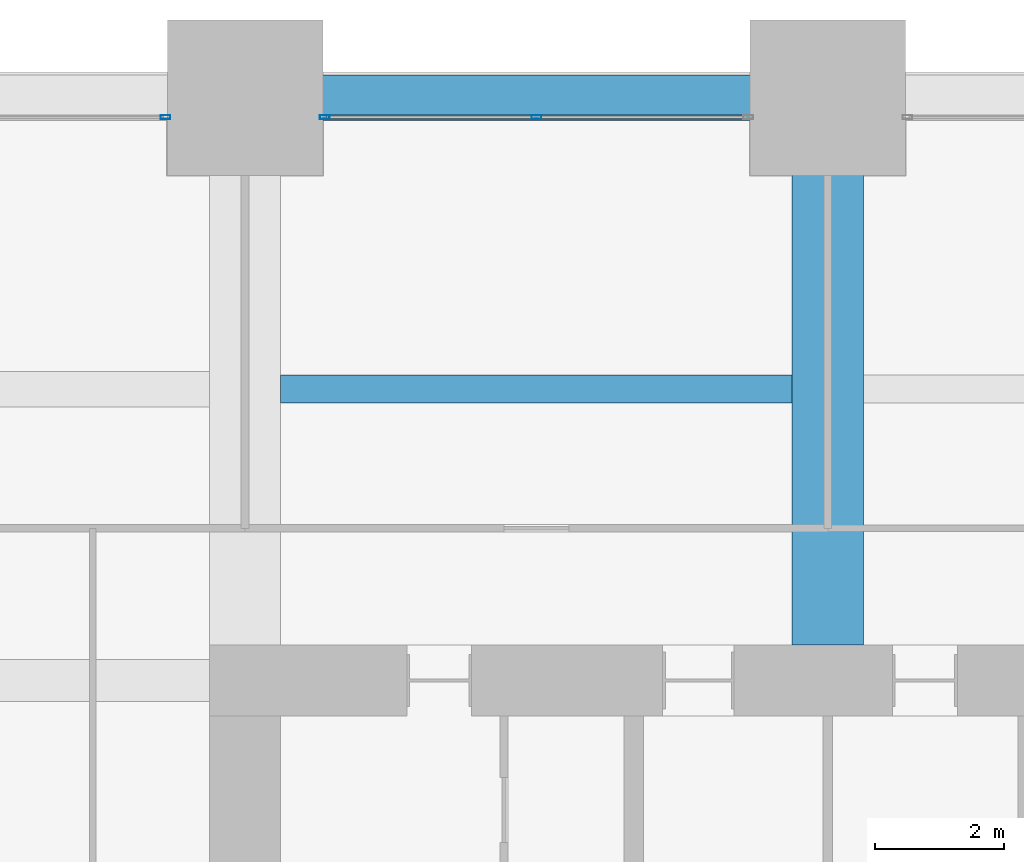
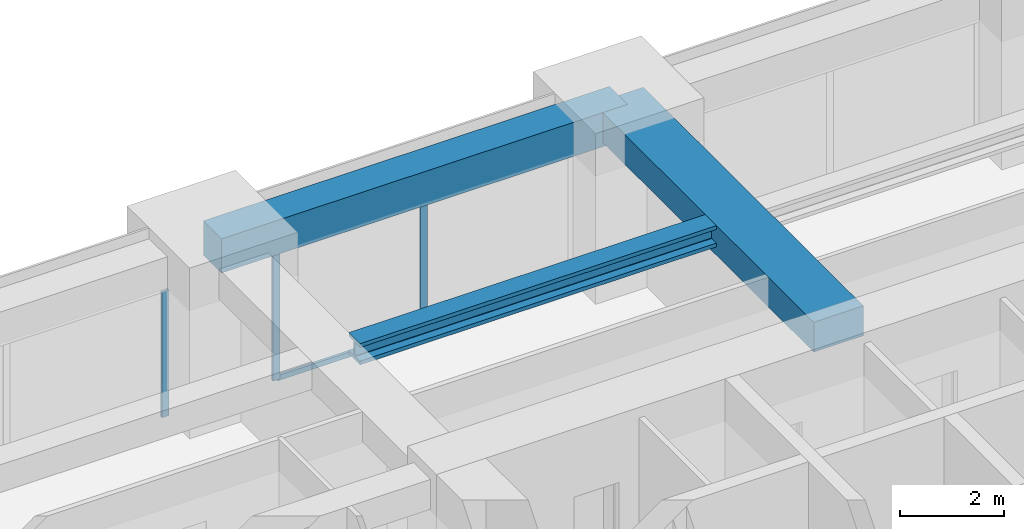
# One storey, part 24 of 32: 4 members, 3 beams, 2 elements without a shape of their own.
"""IFC4 building model written with IfcOpenShell, lengths in metres."""

from ifc_helpers import new_model, si_unit, direction, frame, origin, origin_2d, place, context, subcontext, project, spatial, rectangle, hollow_rectangle, i_section, extrude, material, material_profile, profile_set, type_object, element, aggregate, save


model = new_model("IFC4")

# Units and contexts
model_context = context("Model", 3, precision=1e-05, world=origin(), true_north=direction((0.0, 1.0)))
body_context = subcontext(model_context, "Body", "Model", "MODEL_VIEW")
ifc_project = project(units=[si_unit("LENGTHUNIT", "METRE"), si_unit("AREAUNIT", "SQUARE_METRE"), si_unit("VOLUMEUNIT", "CUBIC_METRE"), si_unit("PLANEANGLEUNIT", "RADIAN"), si_unit("MASSUNIT", "GRAM", prefix="KILO")], contexts=[model_context])

# Site, building, storey
site_placement = place(None, origin())
site = spatial("IfcSite", under=ifc_project, at=site_placement, CompositionType="ELEMENT")
building_placement = place(site_placement, origin())
building = spatial("IfcBuilding", under=site, at=building_placement, Name="Zorevar Civic Tower", CompositionType="ELEMENT")
storey_placement = place(building_placement, frame((0.0, 0.0, 186.199951171875)))
storey = spatial("IfcBuildingStorey", under=building, at=storey_placement, Name="L45", CompositionType="ELEMENT", Elevation=186.199951171875)

# Beam
ifc_material_1 = material(Name="Concrete C50/60", Category="concrete")
ifc_material_profile_1 = material_profile(ifc_material_1, rectangle(XDim=1.10009765625, YDim=0.699951171875, at=origin_2d()), Name="RC 1100x700")
ifc_profile_set_1 = profile_set([ifc_material_profile_1], Name="Concrete C50/60")
beam_type_1 = type_object("IfcBeamType", Name="Beam RC 1100x700", PredefinedType="BEAM", material=ifc_profile_set_1)
beam_1_placement = place(storey_placement, frame((27.0, 36.550048828125, 3.400146484375), z_axis=(0.0, 1.0, 0.0), x_axis=(-1.0, 0.0, 0.0)))
element("IfcBeam", 1, at=beam_1_placement, inside=storey, type_object=beam_type_1, Name="Girder L46", PredefinedType="BEAM", context=body_context, shape_type="SweptSolid", body=[
    extrude(rectangle(XDim=1.10009765625, YDim=0.699951171875, at=origin_2d()), origin(), (0.0, 0.0, 1.0), 8.449951171875),
])

# Curtain wall, member
ifc_material_2 = material(Name="Dark grey solar-control glass in black aluminium frame", Category="aluminium")
curtain_wall_type = type_object("IfcCurtainWallType", Name="Curtain wall CW4 high zone", PredefinedType="NOTDEFINED", material=ifc_material_2)
curtain_wall_1_placement = place(storey_placement, origin())
curtain_wall_1 = element("IfcCurtainWall", 2, at=curtain_wall_1_placement, inside=storey, type_object=curtain_wall_type, Name="CW4 L45", PredefinedType="NOTDEFINED")
ifc_material_3 = material(Name="Aluminium, black anodised", Category="aluminium")
ifc_material_profile_2 = material_profile(ifc_material_3, hollow_rectangle(XDim=0.06005859375, YDim=0.14990234375, WallThickness=0.00390625, at=origin_2d()), Name="AL 150x60x4")
ifc_profile_set_2 = profile_set([ifc_material_profile_2], Name="Aluminium, black anodised")
member_type_1 = type_object("IfcMemberType", Name="CW4 mullion AL 150x60x4", PredefinedType="MULLION", material=ifc_profile_set_2)
member_1_placement = place(storey_placement, frame((16.77001953125, 44.699951171875, 0.0), z_axis=(0.0, 0.0, 1.0), x_axis=(0.0, 1.0, 0.0)))
member_1 = element("IfcMember", 3, at=member_1_placement, type_object=member_type_1, Name="CW4 mullion 3", PredefinedType="MULLION", context=body_context, shape_type="SweptSolid", body=[
    extrude(hollow_rectangle(XDim=0.06005859375, YDim=0.14990234375, WallThickness=0.00390625, at=origin_2d()), origin(), (0.0, 0.0, 1.0), 2.949951171875),
])
aggregate(curtain_wall_1, [member_1])

# Curtain wall, members
curtain_wall_2_placement = place(storey_placement, origin())
curtain_wall_2 = element("IfcCurtainWall", 4, at=curtain_wall_2_placement, inside=storey, type_object=curtain_wall_type, Name="CW4 L45", PredefinedType="NOTDEFINED")
member_2_placement = place(storey_placement, frame((19.22998046875, 44.699951171875, 0.0), z_axis=(0.0, 0.0, 1.0), x_axis=(0.0, 1.0, 0.0)))
member_2 = element("IfcMember", 5, at=member_2_placement, type_object=member_type_1, Name="CW4 mullion 1", PredefinedType="MULLION", context=body_context, shape_type="SweptSolid", body=[
    extrude(hollow_rectangle(XDim=0.06005859375, YDim=0.14990234375, WallThickness=0.00390625, at=origin_2d()), origin(), (0.0, 0.0, 1.0), 2.949951171875),
])
member_3_placement = place(storey_placement, frame((22.5, 44.699951171875, 0.06005859375), z_axis=(0.0, 0.0, 1.0), x_axis=(0.0, 1.0, 0.0)))
member_3 = element("IfcMember", 6, at=member_3_placement, type_object=member_type_1, Name="CW4 mullion 2", PredefinedType="MULLION", context=body_context, shape_type="SweptSolid", body=[
    extrude(hollow_rectangle(XDim=0.06005859375, YDim=0.14990234375, WallThickness=0.00390625, at=origin_2d()), origin(), (0.0, 0.0, 1.0), 2.889892578125),
])
ifc_material_4 = material(Name="Aluminium, black anodised", Category="aluminium")
ifc_material_profile_3 = material_profile(ifc_material_4, hollow_rectangle(XDim=0.06005859375, YDim=0.1201171875, WallThickness=0.0029296875, at=origin_2d()), Name="AL 120x60x3")
ifc_profile_set_3 = profile_set([ifc_material_profile_3], Name="Aluminium, black anodised")
member_type_2 = type_object("IfcMemberType", Name="CW4 transom AL 120x60x3", PredefinedType="USERDEFINED", material=ifc_profile_set_3)
member_4_placement = place(storey_placement, frame((19.260009765625, 44.699951171875, 0.030029296875), z_axis=(1.0, 0.0, 0.0), x_axis=(0.0, 1.0, 0.0)))
member_4 = element("IfcMember", 7, at=member_4_placement, type_object=member_type_2, Name="CW4 sill transom", ObjectType="TRANSOM", PredefinedType="USERDEFINED", context=body_context, shape_type="SweptSolid", body=[
    extrude(hollow_rectangle(XDim=0.06005859375, YDim=0.1201171875, WallThickness=0.0029296875, at=origin_2d()), origin(), (0.0, 0.0, 1.0), 6.47998046875),
])
aggregate(curtain_wall_2, [member_2, member_3, member_4])

# Beams
ifc_material_5 = material(Name="Steel S460M (HISTAR 460)", Category="steel")
ifc_material_profile_4 = material_profile(ifc_material_5, i_section(OverallWidth=0.431884765625, OverallDepth=0.498046875, WebThickness=0.0556640625, FlangeThickness=0.0888671875, FilletRadius=0.014892578125, at=origin_2d()), Name="HD 400x744")
ifc_profile_set_4 = profile_set([ifc_material_profile_4], Name="Steel S460M (HISTAR 460)")
beam_type_2 = type_object("IfcBeamType", Name="Core bay beam HD 400x744", PredefinedType="BEAM", material=ifc_profile_set_4)
beam_2_placement = place(storey_placement, frame((18.550048828125, 40.5, 3.5009765625), z_axis=(1.0, 0.0, 0.0), x_axis=(0.0, 1.0, 0.0)))
element("IfcBeam", 8, at=beam_2_placement, inside=storey, type_object=beam_type_2, Name="Secondary beam L46", PredefinedType="BEAM", context=body_context, shape_type="SweptSolid", body=[
    extrude(i_section(OverallWidth=0.431884765625, OverallDepth=0.498046875, WebThickness=0.0556640625, FlangeThickness=0.0888671875, FilletRadius=0.014892578125, at=origin_2d()), origin(), (0.0, 0.0, 1.0), 7.89990234375),
])
ifc_material_6 = material(Name="Concrete C50/60", Category="concrete")
ifc_material_profile_5 = material_profile(ifc_material_6, rectangle(XDim=0.699951171875, YDim=0.800048828125, at=origin_2d()), Name="RC 700x800")
ifc_profile_set_5 = profile_set([ifc_material_profile_5], Name="Concrete C50/60")
beam_type_3 = type_object("IfcBeamType", Name="Edge beam RC 700x800", PredefinedType="SPANDREL", material=ifc_profile_set_5)
beam_3_placement = place(storey_placement, frame((18.0, 45.0, 3.35009765625), z_axis=(1.0, 0.0, 0.0), x_axis=(0.0, 1.0, 0.0)))
element("IfcBeam", 9, at=beam_3_placement, inside=storey, type_object=beam_type_3, Name="Edge beam L46", PredefinedType="SPANDREL", context=body_context, shape_type="SweptSolid", body=[
    extrude(rectangle(XDim=0.699951171875, YDim=0.800048828125, at=origin_2d()), origin(), (0.0, 0.0, 1.0), 9.0),
])

save(model, "model.ifc")
